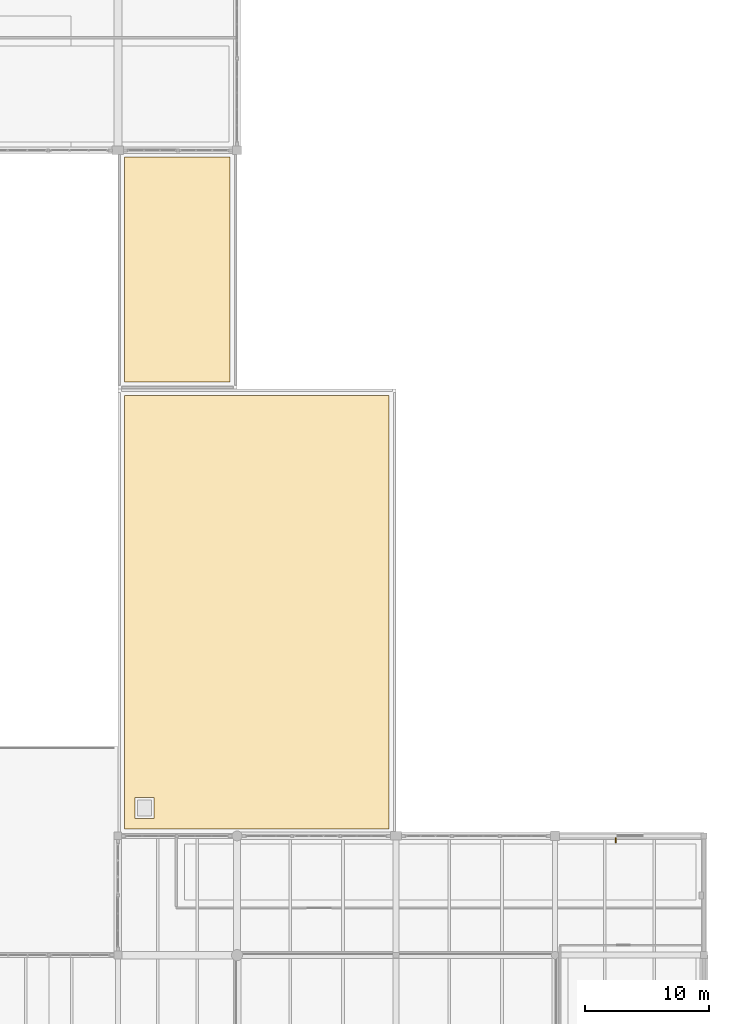
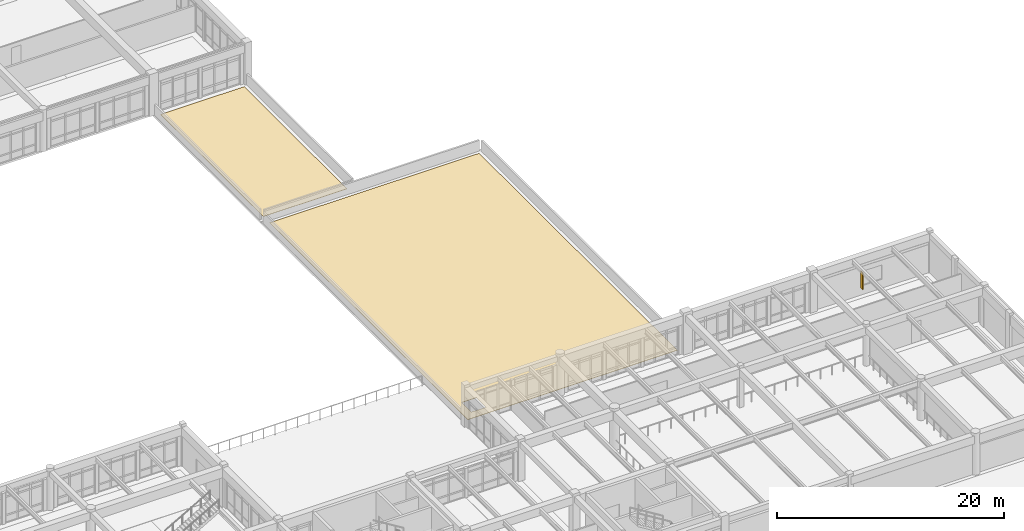
# One storey, part 109 of 109: 2 coverings, 1 shading device.
"""IFC4 building model written with IfcOpenShell, lengths in metres."""

from ifc_helpers import new_model, si_unit, direction, frame, origin, origin_2d, place, context, subcontext, project, spatial, polyline, rectangle, outline, extrude, material, layer, layer_set, type_object, element, save


model = new_model("IFC4")

# Units and contexts
model_context = context("Model", 3, precision=1e-05, world=origin(), true_north=direction((0.0, 1.0)))
body_context = subcontext(model_context, "Body", "Model", "MODEL_VIEW")
ifc_project = project(units=[si_unit("LENGTHUNIT", "METRE"), si_unit("AREAUNIT", "SQUARE_METRE"), si_unit("VOLUMEUNIT", "CUBIC_METRE"), si_unit("PLANEANGLEUNIT", "RADIAN"), si_unit("MASSUNIT", "GRAM", prefix="KILO")], contexts=[model_context])

# Site, building, storey
site_placement = place(None, origin())
site = spatial("IfcSite", under=ifc_project, at=site_placement, CompositionType="ELEMENT")
building_placement = place(site_placement, origin())
building = spatial("IfcBuilding", under=site, at=building_placement, Name="Fikremerkos Civic Library", CompositionType="ELEMENT")
storey_placement = place(building_placement, frame((0.0, 0.0, 5.39990234375)))
storey = spatial("IfcBuildingStorey", under=building, at=storey_placement, Name="L01", CompositionType="ELEMENT", Elevation=5.39990234375)

# Coverings
ifc_material_1 = material(Name="Polymer modified bitumen roofing")
ifc_layer = layer(ifc_material_1, 0.034912109375, Name="Polymer modified bitumen roofing")
ifc_layer_set = layer_set([ifc_layer], Name="Polymer modified bitumen roofing")
covering_type = type_object("IfcCoveringType", Name="Insulated roof waterproofing membrane RFG-01", PredefinedType="ROOFING", material=ifc_layer_set)
covering_1_placement = place(storey_placement, origin())
element("IfcCovering", 1, at=covering_1_placement, inside=storey, type_object=covering_type, Name="Roof waterproofing membrane RFG-01 RF-L01-V3N", PredefinedType="ROOFING", context=body_context, shape_type="SweptSolid", body=[
    extrude(outline(polyline([(125.35009765625, 41.35009765625), (146.64990234375, 41.35009765625), (146.64990234375, 76.25), (125.35009765625, 76.25), (125.35009765625, 41.35009765625)]), holes=[polyline([(126.199951171875, 42.199951171875), (127.699951171875, 42.199951171875), (127.699951171875, 43.89990234375), (126.199951171875, 43.89990234375), (126.199951171875, 42.199951171875)])]), origin(), (0.0, 0.0, 1.0), 0.03515625),
])
covering_2_placement = place(storey_placement, origin())
element("IfcCovering", 2, at=covering_2_placement, inside=storey, type_object=covering_type, Name="Roof waterproofing membrane RFG-01 RF-L01-V2L", PredefinedType="ROOFING", context=body_context, shape_type="SweptSolid", body=[
    extrude(outline(polyline([(125.35009765625, 77.35009765625), (133.85009765625, 77.35009765625), (133.85009765625, 95.449951171875), (125.35009765625, 95.449951171875), (125.35009765625, 77.35009765625)])), origin(), (0.0, 0.0, 1.0), 0.03515625),
])

# Shading device
ifc_material_2 = material(Name="Bronze anodized aluminium", Category="aluminium")
shading_device_type = type_object("IfcShadingDeviceType", Name="Perforated bronze vertical solar fin SHD-02", PredefinedType="USERDEFINED", material=ifc_material_2)
shading_device_placement = place(storey_placement, frame((164.882568359375, 40.43994140625, 0.8251953125), z_axis=(0.0, 0.0, 1.0), x_axis=(1.0, 0.0, 0.0)))
element("IfcShadingDevice", 3, at=shading_device_placement, inside=storey, type_object=shading_device_type, Name="Vertical bronze solar fin SHD-02 L01 #19", ObjectType="SOLAR FIN", PredefinedType="USERDEFINED", context=body_context, shape_type="SweptSolid", body=[
    extrude(rectangle(XDim=0.080078125, YDim=0.39990234375, at=origin_2d()), origin(), (0.0, 0.0, 1.0), 1.800048828125),
])

save(model, "model.ifc")
